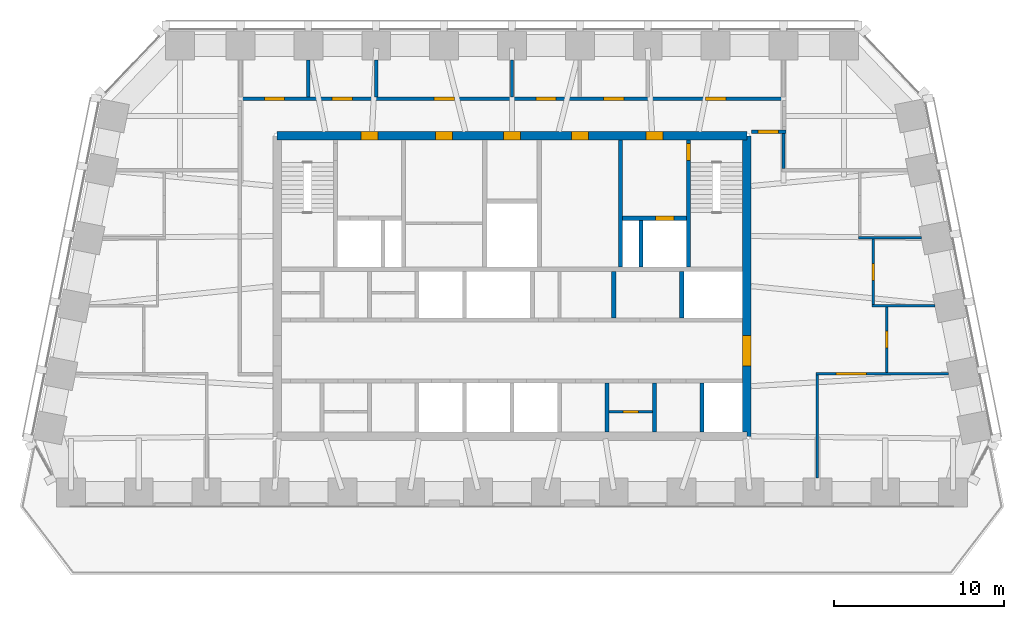
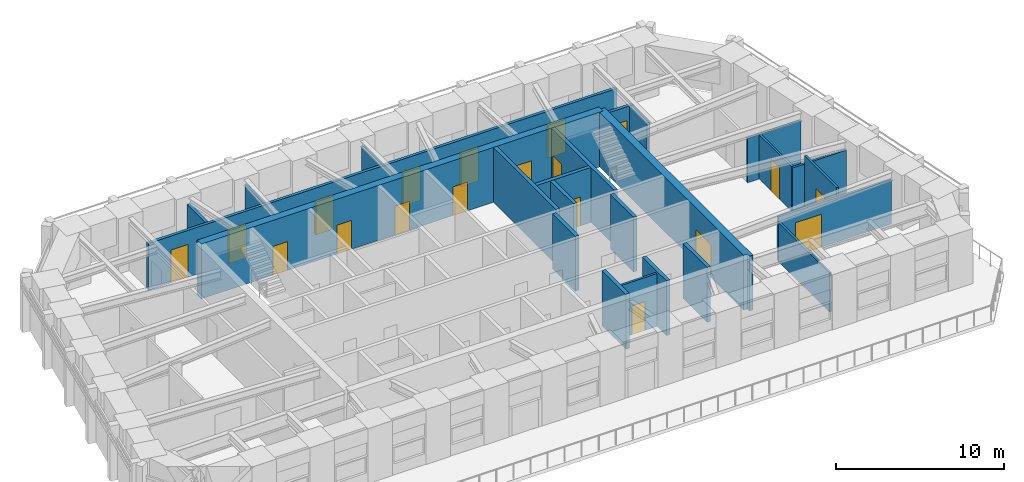
# One storey, part 6 of 9: 24 walls, 19 doors, 19 openings.
"""IFC4 building model written with IfcOpenShell, lengths in metres."""

from ifc_helpers import new_model, si_unit, direction, frame, frame_2d, origin, place, context, subcontext, project, spatial, polyline, rectangle, outline, extrude, material, layer, layer_set, type_object, element, fill, save


model = new_model("IFC4")

# Units and contexts
model_context = context("Model", 3, precision=1e-05, world=origin(), true_north=direction((0.0, 1.0)))
body_context = subcontext(model_context, "Body", "Model", "MODEL_VIEW")
ifc_project = project(units=[si_unit("LENGTHUNIT", "METRE"), si_unit("AREAUNIT", "SQUARE_METRE"), si_unit("VOLUMEUNIT", "CUBIC_METRE"), si_unit("PLANEANGLEUNIT", "RADIAN"), si_unit("MASSUNIT", "GRAM", prefix="KILO")], contexts=[model_context])

# Site, building, storey
site_placement = place(None, origin())
site = spatial("IfcSite", under=ifc_project, at=site_placement, CompositionType="ELEMENT")
building_placement = place(site_placement, origin())
building = spatial("IfcBuilding", under=site, at=building_placement, Name="Isbrekke Arena Tower", CompositionType="ELEMENT")
storey_placement = place(building_placement, frame((0.0, 0.0, 308.0)))
storey = spatial("IfcBuildingStorey", under=building, at=storey_placement, Name="L72", CompositionType="ELEMENT", Elevation=308.0)

# Wall, opening, door
ifc_material_1 = material(Name="Concrete B55 (C55/67)", Category="concrete")
ifc_layer_1 = layer(ifc_material_1, 0.5)
ifc_layer_set_1 = layer_set([ifc_layer_1], Name="CW5 CORE WALL 500")
wall_type_1 = type_object("IfcWallType", Name="CW5 CORE WALL 500", PredefinedType="SHEAR", material=ifc_layer_set_1)
wall_1_placement = place(storey_placement, frame((13.85009765625, 6.14990234375, 0.0), z_axis=(0.0, 0.0, 1.0), x_axis=(0.0, 1.0, 0.0)))
wall_1 = element("IfcWall", 1, at=wall_1_placement, inside=storey, type_object=wall_type_1, Name="Core wall E L72", PredefinedType="SHEAR", context=body_context, shape_type="SweptSolid", body=[
    extrude(outline(polyline([(0.0, -0.25), (17.7001953125, -0.25), (17.7001953125, 0.0), (17.4501953125, 0.0), (17.4501953125, 0.25), (0.25, 0.25), (0.25, 0.0), (0.0, 0.0), (0.0, -0.25)])), origin(), (0.0, 0.0, 1.0), 4.0),
])
opening_1_placement = place(wall_1_placement, frame((4.14990234375, 0.0, 0.0)))
opening_1 = element("IfcOpeningElement", 2, at=opening_1_placement, cuts=wall_1, Name="Opening D1", PredefinedType="OPENING", context=body_context, shape_type="SweptSolid", body=[
    extrude(rectangle(XDim=1.800048828125, YDim=2.39990234375, at=frame_2d((0.89990234375, 1.199951171875))), frame((0.0, 0.264892578125, 0.0), z_axis=(0.0, -1.0, 0.0), x_axis=(1.0, 0.0, 0.0)), (0.0, 0.0, 1.0), 0.52978515625),
])
ifc_material_2 = material(Name="Steel-framed glazed fire door", Category="steel")
door_type_1 = type_object("IfcDoorType", Name="D1 CORE LOBBY DOOR 1800 x 2400", OperationType="DOUBLE_DOOR_SINGLE_SWING", PredefinedType="DOOR", material=ifc_material_2)
door_1_placement = place(opening_1_placement, origin())
door_1 = element("IfcDoor", 3, at=door_1_placement, inside=storey, type_object=door_type_1, Name="D1 lift lobby door east L72", OperationType="DOUBLE_DOOR_SINGLE_SWING", OverallHeight=2.39990234375, OverallWidth=1.800048828125, PredefinedType="DOOR", context=body_context, shape_type="SweptSolid", body=[
    extrude(rectangle(XDim=1.800048828125, YDim=2.39990234375, at=frame_2d((0.89990234375, 1.199951171875))), frame((0.0, 0.249755859375, 0.0), z_axis=(0.0, -1.0, 0.0), x_axis=(1.0, 0.0, 0.0)), (0.0, 0.0, 1.0), 0.49951171875),
])
fill(opening_1, door_1)

# Wall, openings, doors
wall_2_placement = place(storey_placement, frame((13.85009765625, 23.85009765625, 0.0), z_axis=(0.0, 0.0, 1.0), x_axis=(-1.0, 0.0, 0.0)))
wall_2 = element("IfcWall", 4, at=wall_2_placement, inside=storey, type_object=wall_type_1, Name="Core wall N L72", PredefinedType="SHEAR", context=body_context, shape_type="SweptSolid", body=[
    extrude(rectangle(XDim=27.7001953125, YDim=0.5, at=frame_2d((13.85009765625, 0.0))), origin(), (0.0, 0.0, 1.0), 4.0),
])
opening_2_placement = place(wall_2_placement, frame((21.75, 0.0, 0.0)))
opening_2 = element("IfcOpeningElement", 5, at=opening_2_placement, cuts=wall_2, Name="Opening D3", PredefinedType="OPENING", context=body_context, shape_type="SweptSolid", body=[
    extrude(rectangle(XDim=1.0, YDim=2.10009765625, at=frame_2d((0.5, 1.050048828125))), frame((0.0, 0.264892578125, 0.0), z_axis=(0.0, -1.0, 0.0), x_axis=(1.0, 0.0, 0.0)), (0.0, 0.0, 1.0), 0.52978515625),
])
opening_3_placement = place(wall_2_placement, frame((4.949951171875, 0.0, 0.0)))
opening_3 = element("IfcOpeningElement", 6, at=opening_3_placement, cuts=wall_2, Name="Opening D3", PredefinedType="OPENING", context=body_context, shape_type="SweptSolid", body=[
    extrude(rectangle(XDim=1.0, YDim=2.10009765625, at=frame_2d((0.5, 1.050048828125))), frame((0.0, 0.264892578125, 0.0), z_axis=(0.0, -1.0, 0.0), x_axis=(1.0, 0.0, 0.0)), (0.0, 0.0, 1.0), 0.52978515625),
])
opening_4_placement = place(wall_2_placement, frame((17.35009765625, 0.0, 0.0)))
opening_4 = element("IfcOpeningElement", 7, at=opening_4_placement, cuts=wall_2, Name="Opening D4", PredefinedType="OPENING", context=body_context, shape_type="SweptSolid", body=[
    extrude(rectangle(XDim=1.0, YDim=2.10009765625, at=frame_2d((0.5, 1.050048828125))), frame((0.0, 0.264892578125, 0.0), z_axis=(0.0, -1.0, 0.0), x_axis=(1.0, 0.0, 0.0)), (0.0, 0.0, 1.0), 0.52978515625),
])
opening_5_placement = place(wall_2_placement, frame((13.35009765625, 0.0, 0.0)))
opening_5 = element("IfcOpeningElement", 8, at=opening_5_placement, cuts=wall_2, Name="Opening D4", PredefinedType="OPENING", context=body_context, shape_type="SweptSolid", body=[
    extrude(rectangle(XDim=1.0, YDim=2.10009765625, at=frame_2d((0.5, 1.050048828125))), frame((0.0, 0.264892578125, 0.0), z_axis=(0.0, -1.0, 0.0), x_axis=(1.0, 0.0, 0.0)), (0.0, 0.0, 1.0), 0.52978515625),
])
opening_6_placement = place(wall_2_placement, frame((9.35009765625, 0.0, 0.0)))
opening_6 = element("IfcOpeningElement", 9, at=opening_6_placement, cuts=wall_2, Name="Opening D4", PredefinedType="OPENING", context=body_context, shape_type="SweptSolid", body=[
    extrude(rectangle(XDim=1.0, YDim=2.10009765625, at=frame_2d((0.5, 1.050048828125))), frame((0.0, 0.264892578125, 0.0), z_axis=(0.0, -1.0, 0.0), x_axis=(1.0, 0.0, 0.0)), (0.0, 0.0, 1.0), 0.52978515625),
])
ifc_material_3 = material(Name="Steel fire door", Category="steel")
door_type_2 = type_object("IfcDoorType", Name="D3 FIRE LOBBY DOOR 1000 x 2100", OperationType="SINGLE_SWING_RIGHT", PredefinedType="DOOR", material=ifc_material_3)
door_2_placement = place(opening_2_placement, origin())
door_2 = element("IfcDoor", 10, at=door_2_placement, inside=storey, type_object=door_type_2, Name="D3 fire-fighting lobby door L72", OperationType="SINGLE_SWING_RIGHT", OverallHeight=2.10009765625, OverallWidth=1.0, PredefinedType="DOOR", context=body_context, shape_type="SweptSolid", body=[
    extrude(rectangle(XDim=1.0, YDim=2.10009765625, at=frame_2d((0.5, 1.050048828125))), frame((0.0, 0.249755859375, 0.0), z_axis=(0.0, -1.0, 0.0), x_axis=(1.0, 0.0, 0.0)), (0.0, 0.0, 1.0), 0.49951171875),
])
fill(opening_2, door_2)
door_3_placement = place(opening_3_placement, origin())
door_3 = element("IfcDoor", 11, at=door_3_placement, inside=storey, type_object=door_type_2, Name="D3 fire-fighting lobby door L72", OperationType="SINGLE_SWING_RIGHT", OverallHeight=2.10009765625, OverallWidth=1.0, PredefinedType="DOOR", context=body_context, shape_type="SweptSolid", body=[
    extrude(rectangle(XDim=1.0, YDim=2.10009765625, at=frame_2d((0.5, 1.050048828125))), frame((0.0, 0.249755859375, 0.0), z_axis=(0.0, -1.0, 0.0), x_axis=(1.0, 0.0, 0.0)), (0.0, 0.0, 1.0), 0.49951171875),
])
fill(opening_3, door_3)
ifc_material_4 = material(Name="Timber door", Category="wood")
door_type_3 = type_object("IfcDoorType", Name="D4 WC DOOR 1000 x 2100", OperationType="SINGLE_SWING_LEFT", PredefinedType="DOOR", material=ifc_material_4)
door_4_placement = place(opening_4_placement, origin())
door_4 = element("IfcDoor", 12, at=door_4_placement, inside=storey, type_object=door_type_3, Name="D4 wc female door L72", OperationType="SINGLE_SWING_LEFT", OverallHeight=2.10009765625, OverallWidth=1.0, PredefinedType="DOOR", context=body_context, shape_type="SweptSolid", body=[
    extrude(rectangle(XDim=1.0, YDim=2.10009765625, at=frame_2d((0.5, 1.050048828125))), frame((0.0, 0.249755859375, 0.0), z_axis=(0.0, -1.0, 0.0), x_axis=(1.0, 0.0, 0.0)), (0.0, 0.0, 1.0), 0.49951171875),
])
fill(opening_4, door_4)
door_5_placement = place(opening_5_placement, origin())
door_5 = element("IfcDoor", 13, at=door_5_placement, inside=storey, type_object=door_type_3, Name="D4 accessible wc door L72", OperationType="SINGLE_SWING_LEFT", OverallHeight=2.10009765625, OverallWidth=1.0, PredefinedType="DOOR", context=body_context, shape_type="SweptSolid", body=[
    extrude(rectangle(XDim=1.0, YDim=2.10009765625, at=frame_2d((0.5, 1.050048828125))), frame((0.0, 0.249755859375, 0.0), z_axis=(0.0, -1.0, 0.0), x_axis=(1.0, 0.0, 0.0)), (0.0, 0.0, 1.0), 0.49951171875),
])
fill(opening_5, door_5)
door_6_placement = place(opening_6_placement, origin())
door_6 = element("IfcDoor", 14, at=door_6_placement, inside=storey, type_object=door_type_3, Name="D4 wc male door L72", OperationType="SINGLE_SWING_LEFT", OverallHeight=2.10009765625, OverallWidth=1.0, PredefinedType="DOOR", context=body_context, shape_type="SweptSolid", body=[
    extrude(rectangle(XDim=1.0, YDim=2.10009765625, at=frame_2d((0.5, 1.050048828125))), frame((0.0, 0.249755859375, 0.0), z_axis=(0.0, -1.0, 0.0), x_axis=(1.0, 0.0, 0.0)), (0.0, 0.0, 1.0), 0.49951171875),
])
fill(opening_6, door_6)

# Walls
ifc_material_5 = material(Name="Concrete B45 (C45/55)", Category="concrete")
ifc_layer_2 = layer(ifc_material_5, 0.25)
ifc_layer_set_2 = layer_set([ifc_layer_2], Name="CW6 SHAFT WALL 250")
wall_type_2 = type_object("IfcWallType", Name="CW6 SHAFT WALL 250", PredefinedType="SHEAR", material=ifc_layer_set_2)
for number, where, z_axis, x_axis, name in (
    (15, (5.60009765625, 6.39990234375, 0.0), (0.0, 0.0, 1.0), (0.0, 1.0, 0.0), "Core wall SS07 L72"),
    (16, (8.39990234375, 6.39990234375, 0.0), (0.0, 0.0, 1.0), (0.0, 1.0, 0.0), "Core wall SS08 L72"),
    (17, (11.199951171875, 6.39990234375, 0.0), (0.0, 0.0, 1.0), (0.0, 1.0, 0.0), "Core wall SS09 L72"),
):
    element("IfcWall", number, at=place(storey_placement, frame(where, z_axis=z_axis, x_axis=x_axis)), inside=storey, type_object=wall_type_2, Name=name, PredefinedType="SHEAR", context=body_context, shape_type="SweptSolid", body=[
        extrude(rectangle(XDim=2.875, YDim=0.25, at=frame_2d((1.4375, 0.0))), origin(), (0.0, 0.0, 1.0), 4.0),
    ])
for number, where, z_axis, x_axis, name in (
    (18, (6.0, 13.125, 0.0), (0.0, 0.0, 1.0), (0.0, 1.0, 0.0), "Core wall SN06 L72"),
    (19, (10.0, 13.125, 0.0), (0.0, 0.0, 1.0), (0.0, 1.0, 0.0), "Core wall SN07 L72"),
):
    element("IfcWall", number, at=place(storey_placement, frame(where, z_axis=z_axis, x_axis=x_axis)), inside=storey, type_object=wall_type_2, Name=name, PredefinedType="SHEAR", context=body_context, shape_type="SweptSolid", body=[
        extrude(rectangle(XDim=2.75, YDim=0.25, at=frame_2d((1.375, 0.0))), origin(), (0.0, 0.0, 1.0), 4.0),
    ])
wall_3_placement = place(storey_placement, frame((6.39990234375, 16.125, 0.0), z_axis=(0.0, 0.0, 1.0), x_axis=(0.0, 1.0, 0.0)))
element("IfcWall", 20, at=wall_3_placement, inside=storey, type_object=wall_type_2, Name="Core wall NV05 L72", PredefinedType="SHEAR", context=body_context, shape_type="SweptSolid", body=[
    extrude(rectangle(XDim=7.47509765625, YDim=0.25, at=frame_2d((3.737548828125, 0.0))), origin(), (0.0, 0.0, 1.0), 4.0),
])

# Wall, opening, door
wall_4_placement = place(storey_placement, frame((10.39990234375, 16.125, 0.0), z_axis=(0.0, 0.0, 1.0), x_axis=(0.0, 1.0, 0.0)))
wall_4 = element("IfcWall", 21, at=wall_4_placement, inside=storey, type_object=wall_type_2, Name="Core wall NV06 L72", PredefinedType="SHEAR", context=body_context, shape_type="SweptSolid", body=[
    extrude(rectangle(XDim=7.47509765625, YDim=0.25, at=frame_2d((3.737548828125, 0.0))), origin(), (0.0, 0.0, 1.0), 4.0),
])
opening_7_placement = place(wall_4_placement, frame((6.27490234375, 0.0, 0.0)))
opening_7 = element("IfcOpeningElement", 22, at=opening_7_placement, cuts=wall_4, Name="Opening D2", PredefinedType="OPENING", context=body_context, shape_type="SweptSolid", body=[
    extrude(rectangle(XDim=1.0, YDim=2.10009765625, at=frame_2d((0.5, 1.050048828125))), frame((0.0, 0.139892578125, 0.0), z_axis=(0.0, -1.0, 0.0), x_axis=(1.0, 0.0, 0.0)), (0.0, 0.0, 1.0), 0.27978515625),
])
ifc_material_6 = material(Name="Steel fire door", Category="steel")
door_type_4 = type_object("IfcDoorType", Name="D2 STAIR DOOR 1000 x 2100", OperationType="SINGLE_SWING_LEFT", PredefinedType="DOOR", material=ifc_material_6)
door_7_placement = place(opening_7_placement, origin())
door_7 = element("IfcDoor", 23, at=door_7_placement, inside=storey, type_object=door_type_4, Name="D2 stair door ST2 L72", OperationType="SINGLE_SWING_LEFT", OverallHeight=2.10009765625, OverallWidth=1.0, PredefinedType="DOOR", context=body_context, shape_type="SweptSolid", body=[
    extrude(rectangle(XDim=1.0, YDim=2.10009765625, at=frame_2d((0.5, 1.050048828125))), frame((0.0, 0.124755859375, 0.0), z_axis=(0.0, -1.0, 0.0), x_axis=(1.0, 0.0, 0.0)), (0.0, 0.0, 1.0), 0.24951171875),
])
fill(opening_7, door_7)

wall_5_placement = place(storey_placement, frame((6.52490234375, 19.0, 0.0), z_axis=(0.0, 0.0, 1.0), x_axis=(1.0, 0.0, 0.0)))
wall_5 = element("IfcWall", 24, at=wall_5_placement, inside=storey, type_object=wall_type_2, Name="Core wall NFE L72", PredefinedType="SHEAR", context=body_context, shape_type="SweptSolid", body=[
    extrude(rectangle(XDim=3.75, YDim=0.25, at=frame_2d((1.875, 0.0))), origin(), (0.0, 0.0, 1.0), 4.0),
])
opening_8_placement = place(wall_5_placement, frame((1.925048828125, 0.0, 0.0)))
opening_8 = element("IfcOpeningElement", 25, at=opening_8_placement, cuts=wall_5, Name="Opening LD2", PredefinedType="OPENING", context=body_context, shape_type="SweptSolid", body=[
    extrude(rectangle(XDim=1.10009765625, YDim=2.10009765625, at=frame_2d((0.550048828125, 1.050048828125))), frame((0.0, 0.139892578125, 0.0), z_axis=(0.0, -1.0, 0.0), x_axis=(1.0, 0.0, 0.0)), (0.0, 0.0, 1.0), 0.27978515625),
])
ifc_material_7 = material(Name="Stainless steel lift landing door", Category="steel")
door_type_5 = type_object("IfcDoorType", Name="LD2 FIRE-FIGHTING LIFT LANDING DOOR 1100 x 2100", OperationType="SLIDING_TO_RIGHT", PredefinedType="DOOR", material=ifc_material_7)
door_8_placement = place(opening_8_placement, origin())
door_8 = element("IfcDoor", 26, at=door_8_placement, inside=storey, type_object=door_type_5, Name="LD2 lift landing door LF L72", OperationType="SLIDING_TO_RIGHT", OverallHeight=2.10009765625, OverallWidth=1.10009765625, PredefinedType="DOOR", context=body_context, shape_type="SweptSolid", body=[
    extrude(rectangle(XDim=1.10009765625, YDim=2.10009765625, at=frame_2d((0.550048828125, 1.050048828125))), frame((0.0, 0.124755859375, 0.0), z_axis=(0.0, -1.0, 0.0), x_axis=(1.0, 0.0, 0.0)), (0.0, 0.0, 1.0), 0.24951171875),
])
fill(opening_8, door_8)

# Wall
wall_6_placement = place(storey_placement, frame((7.60009765625, 16.125, 0.0), z_axis=(0.0, 0.0, 1.0), x_axis=(0.0, 1.0, 0.0)))
element("IfcWall", 27, at=wall_6_placement, inside=storey, type_object=wall_type_2, Name="Core wall NFS2 L72", PredefinedType="SHEAR", context=body_context, shape_type="SweptSolid", body=[
    extrude(rectangle(XDim=2.75, YDim=0.25, at=frame_2d((1.375, 0.0))), origin(), (0.0, 0.0, 1.0), 4.0),
])

# Wall, opening, door
ifc_material_8 = material(Name="Gypsum board partition on steel studs", Category="steel")
ifc_layer_3 = layer(ifc_material_8, 0.14990234375)
ifc_layer_set_3 = layer_set([ifc_layer_3], Name="IW1 PARTITION 150")
wall_type_3 = type_object("IfcWallType", Name="IW1 PARTITION 150", PredefinedType="PARTITIONING", material=ifc_layer_set_3)
wall_7_placement = place(storey_placement, frame((17.925048828125, 9.840087890625, 0.0), z_axis=(0.0, 0.0, 1.0), x_axis=(1.0, 0.0, 0.0)))
wall_7 = element("IfcWall", 28, at=wall_7_placement, inside=storey, type_object=wall_type_3, Name="IW1 partition 150 L72", PredefinedType="PARTITIONING", context=body_context, shape_type="SweptSolid", body=[
    extrude(rectangle(XDim=7.798828125, YDim=0.14990234375, at=frame_2d((3.8994140625, 0.0))), origin(), (0.0, 0.0, 1.0), 3.22998046875),
])
opening_9_placement = place(wall_7_placement, frame((1.175048828125, 0.0, 0.0)))
opening_9 = element("IfcOpeningElement", 29, at=opening_9_placement, cuts=wall_7, Name="Opening D13", PredefinedType="OPENING", context=body_context, shape_type="SweptSolid", body=[
    extrude(rectangle(XDim=1.800048828125, YDim=2.39990234375, at=frame_2d((0.89990234375, 1.199951171875))), frame((0.0, 0.08984375, 0.0), z_axis=(0.0, -1.0, 0.0), x_axis=(1.0, 0.0, 0.0)), (0.0, 0.0, 1.0), 0.1796875),
])
ifc_material_9 = material(Name="Timber door pair", Category="wood")
door_type_6 = type_object("IfcDoorType", Name="D13 DOUBLE ROOM DOOR 1800 x 2400", OperationType="DOUBLE_DOOR_SINGLE_SWING", PredefinedType="DOOR", material=ifc_material_9)
door_9_placement = place(opening_9_placement, origin())
door_9 = element("IfcDoor", 30, at=door_9_placement, inside=storey, type_object=door_type_6, Name="D13 kitchen door L72", OperationType="DOUBLE_DOOR_SINGLE_SWING", OverallHeight=2.39990234375, OverallWidth=1.800048828125, PredefinedType="DOOR", context=body_context, shape_type="SweptSolid", body=[
    extrude(rectangle(XDim=1.800048828125, YDim=2.39990234375, at=frame_2d((0.89990234375, 1.199951171875))), frame((0.0, 0.07470703125, 0.0), z_axis=(0.0, -1.0, 0.0), x_axis=(1.0, 0.0, 0.0)), (0.0, 0.0, 1.0), 0.1494140625),
])
fill(opening_9, door_9)

# Walls
for number, where, z_axis, x_axis, name in (
    (31, (21.22509765625, 13.840087890625, 0.0), (0.0, 0.0, 1.0), (1.0, 0.0, 0.0), "IW1 partition 150 L72"),
    (32, (20.425048828125, 17.840087890625, 0.0), (0.0, 0.0, 1.0), (1.0, 0.0, 0.0), "IW1 partition 150 L72"),
):
    element("IfcWall", number, at=place(storey_placement, frame(where, z_axis=z_axis, x_axis=x_axis)), inside=storey, type_object=wall_type_3, Name=name, PredefinedType="PARTITIONING", context=body_context, shape_type="SweptSolid", body=[
        extrude(rectangle(XDim=3.69873046875, YDim=0.14990234375, at=frame_2d((1.849365234375, 0.0))), origin(), (0.0, 0.0, 1.0), 3.22998046875),
    ])
wall_8_placement = place(storey_placement, frame((18.0, 3.675048828125, 0.0), z_axis=(0.0, 0.0, 1.0), x_axis=(0.0, 1.0, 0.0)))
element("IfcWall", 33, at=wall_8_placement, inside=storey, type_object=wall_type_3, Name="IW1 partition 150 L72", PredefinedType="PARTITIONING", context=body_context, shape_type="SweptSolid", body=[
    extrude(rectangle(XDim=6.08984375, YDim=0.14990234375, at=frame_2d((3.044921875, 0.0))), origin(), (0.0, 0.0, 1.0), 2.842041015625),
])

# Wall, opening, door
wall_9_placement = place(storey_placement, frame((21.300048828125, 13.9150390625, 0.0), z_axis=(0.0, 0.0, 1.0), x_axis=(0.0, 1.0, 0.0)))
wall_9 = element("IfcWall", 34, at=wall_9_placement, inside=storey, type_object=wall_type_3, Name="IW1 partition 150 L72", PredefinedType="PARTITIONING", context=body_context, shape_type="SweptSolid", body=[
    extrude(rectangle(XDim=3.849853515625, YDim=0.14990234375, at=frame_2d((1.9248046875, 0.0))), origin(), (0.0, 0.0, 1.0), 3.22998046875),
])
opening_10_placement = place(wall_9_placement, frame((1.425048828125, 0.0, 0.0)))
opening_10 = element("IfcOpeningElement", 35, at=opening_10_placement, cuts=wall_9, Name="Opening D10", PredefinedType="OPENING", context=body_context, shape_type="SweptSolid", body=[
    extrude(rectangle(XDim=1.0, YDim=2.300048828125, at=frame_2d((0.5, 1.14990234375))), frame((0.0, 0.08984375, 0.0), z_axis=(0.0, -1.0, 0.0), x_axis=(1.0, 0.0, 0.0)), (0.0, 0.0, 1.0), 0.1796875),
])
ifc_material_10 = material(Name="Timber door", Category="wood")
door_type_7 = type_object("IfcDoorType", Name="D10 OFFICE DOOR 1000 x 2300", OperationType="SINGLE_SWING_LEFT", PredefinedType="DOOR", material=ifc_material_10)
door_10_placement = place(opening_10_placement, origin())
door_10 = element("IfcDoor", 36, at=door_10_placement, inside=storey, type_object=door_type_7, Name="D10 office door L72", OperationType="SINGLE_SWING_LEFT", OverallHeight=2.300048828125, OverallWidth=1.0, PredefinedType="DOOR", context=body_context, shape_type="SweptSolid", body=[
    extrude(rectangle(XDim=1.0, YDim=2.300048828125, at=frame_2d((0.5, 1.14990234375))), frame((0.0, 0.07470703125, 0.0), z_axis=(0.0, -1.0, 0.0), x_axis=(1.0, 0.0, 0.0)), (0.0, 0.0, 1.0), 0.1494140625),
])
fill(opening_10, door_10)

wall_10_placement = place(storey_placement, frame((22.10009765625, 9.9150390625, 0.0), z_axis=(0.0, 0.0, 1.0), x_axis=(0.0, 1.0, 0.0)))
wall_10 = element("IfcWall", 37, at=wall_10_placement, inside=storey, type_object=wall_type_3, Name="IW1 partition 150 L72", PredefinedType="PARTITIONING", context=body_context, shape_type="SweptSolid", body=[
    extrude(rectangle(XDim=3.849853515625, YDim=0.14990234375, at=frame_2d((1.9248046875, 0.0))), origin(), (0.0, 0.0, 1.0), 3.85009765625),
])
opening_11_placement = place(wall_10_placement, frame((1.425048828125, 0.0, 0.0)))
opening_11 = element("IfcOpeningElement", 38, at=opening_11_placement, cuts=wall_10, Name="Opening D10", PredefinedType="OPENING", context=body_context, shape_type="SweptSolid", body=[
    extrude(rectangle(XDim=1.0, YDim=2.300048828125, at=frame_2d((0.5, 1.14990234375))), frame((0.0, 0.08984375, 0.0), z_axis=(0.0, -1.0, 0.0), x_axis=(1.0, 0.0, 0.0)), (0.0, 0.0, 1.0), 0.1796875),
])
door_11_placement = place(opening_11_placement, origin())
door_11 = element("IfcDoor", 39, at=door_11_placement, inside=storey, type_object=door_type_7, Name="D10 office door L72", OperationType="SINGLE_SWING_LEFT", OverallHeight=2.300048828125, OverallWidth=1.0, PredefinedType="DOOR", context=body_context, shape_type="SweptSolid", body=[
    extrude(rectangle(XDim=1.0, YDim=2.300048828125, at=frame_2d((0.5, 1.14990234375))), frame((0.0, 0.07470703125, 0.0), z_axis=(0.0, -1.0, 0.0), x_axis=(1.0, 0.0, 0.0)), (0.0, 0.0, 1.0), 0.1494140625),
])
fill(opening_11, door_11)

ifc_material_11 = material(Name="Gypsum board fire-cell wall on steel studs, two layers each side", Category="steel")
ifc_layer_4 = layer(ifc_material_11, 0.199951171875)
ifc_layer_set_4 = layer_set([ifc_layer_4], Name="IW3 FIRE-CELL WALL 200")
wall_type_4 = type_object("IfcWallType", Name="IW3 FIRE-CELL WALL 200", PredefinedType="PARTITIONING", material=ifc_layer_set_4)
wall_11_placement = place(storey_placement, frame((14.1298828125, 24.10009765625, 0.0), z_axis=(0.0, 0.0, 1.0), x_axis=(1.0, 0.0, 0.0)))
wall_11 = element("IfcWall", 40, at=wall_11_placement, inside=storey, type_object=wall_type_4, Name="IW3 fire-cell wall 200 L72", PredefinedType="PARTITIONING", context=body_context, shape_type="SweptSolid", body=[
    extrude(rectangle(XDim=2.02001953125, YDim=0.199951171875, at=frame_2d((1.010009765625, 0.0))), origin(), (0.0, 0.0, 1.0), 3.41796875),
])
opening_12_placement = place(wall_11_placement, frame((0.3701171875, 0.0, 0.0)))
opening_12 = element("IfcOpeningElement", 41, at=opening_12_placement, cuts=wall_11, Name="Opening D12", PredefinedType="OPENING", context=body_context, shape_type="SweptSolid", body=[
    extrude(rectangle(XDim=1.199951171875, YDim=2.39990234375, at=frame_2d((0.60009765625, 1.199951171875))), frame((0.0, 0.11474609375, 0.0), z_axis=(0.0, -1.0, 0.0), x_axis=(1.0, 0.0, 0.0)), (0.0, 0.0, 1.0), 0.229736328125),
])
ifc_material_12 = material(Name="Timber fire door with vision panel", Category="wood")
door_type_8 = type_object("IfcDoorType", Name="D12 SUITE ENTRANCE DOOR 1200 x 2400", OperationType="SINGLE_SWING_LEFT", PredefinedType="DOOR", material=ifc_material_12)
door_12_placement = place(opening_12_placement, frame((1.199951171875, 0.0, 0.0), z_axis=(0.0, 0.0, 1.0), x_axis=(-1.0, 0.0, 0.0)))
door_12 = element("IfcDoor", 42, at=door_12_placement, inside=storey, type_object=door_type_8, Name="D12 suite entrance E door L72", OperationType="SINGLE_SWING_LEFT", OverallHeight=2.39990234375, OverallWidth=1.199951171875, PredefinedType="DOOR", context=body_context, shape_type="SweptSolid", body=[
    extrude(rectangle(XDim=1.199951171875, YDim=2.39990234375, at=frame_2d((0.60009765625, 1.199951171875))), frame((0.0, 0.099609375, 0.0), z_axis=(0.0, -1.0, 0.0), x_axis=(1.0, 0.0, 0.0)), (0.0, 0.0, 1.0), 0.199462890625),
])
fill(opening_12, door_12)

# Wall, openings, doors
wall_12_placement = place(storey_placement, frame((-16.14990234375, 26.050048828125, 0.0), z_axis=(0.0, 0.0, 1.0), x_axis=(1.0, 0.0, 0.0)))
wall_12 = element("IfcWall", 43, at=wall_12_placement, inside=storey, type_object=wall_type_4, Name="IW3 fire-cell wall 200 L72", PredefinedType="PARTITIONING", context=body_context, shape_type="SweptSolid", body=[
    extrude(rectangle(XDim=32.2998046875, YDim=0.199951171875, at=frame_2d((16.14990234375, 0.0))), origin(), (0.0, 0.0, 1.0), 3.41796875),
])
opening_13_placement = place(wall_12_placement, frame((1.550048828125, 0.0, 0.0)))
opening_13 = element("IfcOpeningElement", 44, at=opening_13_placement, cuts=wall_12, Name="Opening D12", PredefinedType="OPENING", context=body_context, shape_type="SweptSolid", body=[
    extrude(rectangle(XDim=1.199951171875, YDim=2.39990234375, at=frame_2d((0.60009765625, 1.199951171875))), frame((0.0, 0.11474609375, 0.0), z_axis=(0.0, -1.0, 0.0), x_axis=(1.0, 0.0, 0.0)), (0.0, 0.0, 1.0), 0.229736328125),
])
opening_14_placement = place(wall_12_placement, frame((5.550048828125, 0.0, 0.0)))
opening_14 = element("IfcOpeningElement", 45, at=opening_14_placement, cuts=wall_12, Name="Opening D12", PredefinedType="OPENING", context=body_context, shape_type="SweptSolid", body=[
    extrude(rectangle(XDim=1.199951171875, YDim=2.39990234375, at=frame_2d((0.60009765625, 1.199951171875))), frame((0.0, 0.11474609375, 0.0), z_axis=(0.0, -1.0, 0.0), x_axis=(1.0, 0.0, 0.0)), (0.0, 0.0, 1.0), 0.229736328125),
])
opening_15_placement = place(wall_12_placement, frame((11.550048828125, 0.0, 0.0)))
opening_15 = element("IfcOpeningElement", 46, at=opening_15_placement, cuts=wall_12, Name="Opening D12", PredefinedType="OPENING", context=body_context, shape_type="SweptSolid", body=[
    extrude(rectangle(XDim=1.199951171875, YDim=2.39990234375, at=frame_2d((0.60009765625, 1.199951171875))), frame((0.0, 0.11474609375, 0.0), z_axis=(0.0, -1.0, 0.0), x_axis=(1.0, 0.0, 0.0)), (0.0, 0.0, 1.0), 0.229736328125),
])
opening_16_placement = place(wall_12_placement, frame((17.550048828125, 0.0, 0.0)))
opening_16 = element("IfcOpeningElement", 47, at=opening_16_placement, cuts=wall_12, Name="Opening D12", PredefinedType="OPENING", context=body_context, shape_type="SweptSolid", body=[
    extrude(rectangle(XDim=1.199951171875, YDim=2.39990234375, at=frame_2d((0.60009765625, 1.199951171875))), frame((0.0, 0.11474609375, 0.0), z_axis=(0.0, -1.0, 0.0), x_axis=(1.0, 0.0, 0.0)), (0.0, 0.0, 1.0), 0.229736328125),
])
opening_17_placement = place(wall_12_placement, frame((21.550048828125, 0.0, 0.0)))
opening_17 = element("IfcOpeningElement", 48, at=opening_17_placement, cuts=wall_12, Name="Opening D12", PredefinedType="OPENING", context=body_context, shape_type="SweptSolid", body=[
    extrude(rectangle(XDim=1.199951171875, YDim=2.39990234375, at=frame_2d((0.60009765625, 1.199951171875))), frame((0.0, 0.11474609375, 0.0), z_axis=(0.0, -1.0, 0.0), x_axis=(1.0, 0.0, 0.0)), (0.0, 0.0, 1.0), 0.229736328125),
])
opening_18_placement = place(wall_12_placement, frame((27.550048828125, 0.0, 0.0)))
opening_18 = element("IfcOpeningElement", 49, at=opening_18_placement, cuts=wall_12, Name="Opening D12", PredefinedType="OPENING", context=body_context, shape_type="SweptSolid", body=[
    extrude(rectangle(XDim=1.199951171875, YDim=2.39990234375, at=frame_2d((0.60009765625, 1.199951171875))), frame((0.0, 0.11474609375, 0.0), z_axis=(0.0, -1.0, 0.0), x_axis=(1.0, 0.0, 0.0)), (0.0, 0.0, 1.0), 0.229736328125),
])
door_13_placement = place(opening_13_placement, origin())
door_13 = element("IfcDoor", 50, at=door_13_placement, inside=storey, type_object=door_type_8, Name="D12 suite entrance NB1 door L72", OperationType="SINGLE_SWING_LEFT", OverallHeight=2.39990234375, OverallWidth=1.199951171875, PredefinedType="DOOR", context=body_context, shape_type="SweptSolid", body=[
    extrude(rectangle(XDim=1.199951171875, YDim=2.39990234375, at=frame_2d((0.60009765625, 1.199951171875))), frame((0.0, 0.099609375, 0.0), z_axis=(0.0, -1.0, 0.0), x_axis=(1.0, 0.0, 0.0)), (0.0, 0.0, 1.0), 0.199462890625),
])
fill(opening_13, door_13)
door_14_placement = place(opening_14_placement, origin())
door_14 = element("IfcDoor", 51, at=door_14_placement, inside=storey, type_object=door_type_8, Name="D12 suite entrance NB2 door L72", OperationType="SINGLE_SWING_LEFT", OverallHeight=2.39990234375, OverallWidth=1.199951171875, PredefinedType="DOOR", context=body_context, shape_type="SweptSolid", body=[
    extrude(rectangle(XDim=1.199951171875, YDim=2.39990234375, at=frame_2d((0.60009765625, 1.199951171875))), frame((0.0, 0.099609375, 0.0), z_axis=(0.0, -1.0, 0.0), x_axis=(1.0, 0.0, 0.0)), (0.0, 0.0, 1.0), 0.199462890625),
])
fill(opening_14, door_14)
door_15_placement = place(opening_15_placement, origin())
door_15 = element("IfcDoor", 52, at=door_15_placement, inside=storey, type_object=door_type_8, Name="D12 suite entrance NB3 door L72", OperationType="SINGLE_SWING_LEFT", OverallHeight=2.39990234375, OverallWidth=1.199951171875, PredefinedType="DOOR", context=body_context, shape_type="SweptSolid", body=[
    extrude(rectangle(XDim=1.199951171875, YDim=2.39990234375, at=frame_2d((0.60009765625, 1.199951171875))), frame((0.0, 0.099609375, 0.0), z_axis=(0.0, -1.0, 0.0), x_axis=(1.0, 0.0, 0.0)), (0.0, 0.0, 1.0), 0.199462890625),
])
fill(opening_15, door_15)
door_16_placement = place(opening_16_placement, origin())
door_16 = element("IfcDoor", 53, at=door_16_placement, inside=storey, type_object=door_type_8, Name="D12 suite entrance NB4 door L72", OperationType="SINGLE_SWING_LEFT", OverallHeight=2.39990234375, OverallWidth=1.199951171875, PredefinedType="DOOR", context=body_context, shape_type="SweptSolid", body=[
    extrude(rectangle(XDim=1.199951171875, YDim=2.39990234375, at=frame_2d((0.60009765625, 1.199951171875))), frame((0.0, 0.099609375, 0.0), z_axis=(0.0, -1.0, 0.0), x_axis=(1.0, 0.0, 0.0)), (0.0, 0.0, 1.0), 0.199462890625),
])
fill(opening_16, door_16)
door_17_placement = place(opening_17_placement, origin())
door_17 = element("IfcDoor", 54, at=door_17_placement, inside=storey, type_object=door_type_8, Name="D12 suite entrance NB5 door L72", OperationType="SINGLE_SWING_LEFT", OverallHeight=2.39990234375, OverallWidth=1.199951171875, PredefinedType="DOOR", context=body_context, shape_type="SweptSolid", body=[
    extrude(rectangle(XDim=1.199951171875, YDim=2.39990234375, at=frame_2d((0.60009765625, 1.199951171875))), frame((0.0, 0.099609375, 0.0), z_axis=(0.0, -1.0, 0.0), x_axis=(1.0, 0.0, 0.0)), (0.0, 0.0, 1.0), 0.199462890625),
])
fill(opening_17, door_17)
door_18_placement = place(opening_18_placement, origin())
door_18 = element("IfcDoor", 55, at=door_18_placement, inside=storey, type_object=door_type_8, Name="D12 suite entrance NB6 door L72", OperationType="SINGLE_SWING_LEFT", OverallHeight=2.39990234375, OverallWidth=1.199951171875, PredefinedType="DOOR", context=body_context, shape_type="SweptSolid", body=[
    extrude(rectangle(XDim=1.199951171875, YDim=2.39990234375, at=frame_2d((0.60009765625, 1.199951171875))), frame((0.0, 0.099609375, 0.0), z_axis=(0.0, -1.0, 0.0), x_axis=(1.0, 0.0, 0.0)), (0.0, 0.0, 1.0), 0.199462890625),
])
fill(opening_18, door_18)

# Walls
for number, where, z_axis, x_axis, name in (
    (56, (-12.0, 26.14990234375, 0.0), (0.0, 0.0, 1.0), (0.0, 1.0, 0.0), "IW3 fire-cell wall 200 L72"),
    (57, (-8.0, 26.14990234375, 0.0), (0.0, 0.0, 1.0), (0.0, 1.0, 0.0), "IW3 fire-cell wall 200 L72"),
    (58, (0.0, 26.14990234375, 0.0), (0.0, 0.0, 1.0), (0.0, 1.0, 0.0), "IW3 fire-cell wall 200 L72"),
):
    element("IfcWall", number, at=place(storey_placement, frame(where, z_axis=z_axis, x_axis=x_axis)), inside=storey, type_object=wall_type_4, Name=name, PredefinedType="PARTITIONING", context=body_context, shape_type="SweptSolid", body=[
        extrude(rectangle(XDim=2.175048828125, YDim=0.199951171875, at=frame_2d((1.08740234375, 0.0))), origin(), (0.0, 0.0, 1.0), 3.41796875),
    ])
wall_13_placement = place(storey_placement, frame((16.0, 21.93994140625, 0.0), z_axis=(0.0, 0.0, 1.0), x_axis=(0.0, 1.0, 0.0)))
element("IfcWall", 59, at=wall_13_placement, inside=storey, type_object=wall_type_4, Name="IW3 fire-cell wall 200 L72", PredefinedType="PARTITIONING", context=body_context, shape_type="SweptSolid", body=[
    extrude(rectangle(XDim=2.06005859375, YDim=0.199951171875, at=frame_2d((1.030029296875, 0.0))), origin(), (0.0, 0.0, 1.0), 3.41796875),
])

# Wall, opening, door
ifc_material_13 = material(Name="Gypsum board fire-rated partition on steel studs, two layers each side", Category="steel")
ifc_layer_5 = layer(ifc_material_13, 0.14990234375)
ifc_layer_set_5 = layer_set([ifc_layer_5], Name="IW5 FIRE-RATED PARTITION 150")
wall_type_5 = type_object("IfcWallType", Name="IW5 FIRE-RATED PARTITION 150", PredefinedType="PARTITIONING", material=ifc_layer_set_5)
wall_14_placement = place(storey_placement, frame((5.72509765625, 7.60009765625, 0.0), z_axis=(0.0, 0.0, 1.0), x_axis=(1.0, 0.0, 0.0)))
wall_14 = element("IfcWall", 60, at=wall_14_placement, inside=storey, type_object=wall_type_5, Name="IW5 fire-rated partition L72 core service rooms 5", PredefinedType="PARTITIONING", context=body_context, shape_type="SweptSolid", body=[
    extrude(rectangle(XDim=2.5498046875, YDim=0.14990234375, at=frame_2d((1.27490234375, 0.0))), origin(), (0.0, 0.0, 1.0), 3.85009765625),
])
opening_19_placement = place(wall_14_placement, frame((0.824951171875, 0.0, 0.0)))
opening_19 = element("IfcOpeningElement", 61, at=opening_19_placement, cuts=wall_14, Name="Opening D5", PredefinedType="OPENING", context=body_context, shape_type="SweptSolid", body=[
    extrude(rectangle(XDim=0.89990234375, YDim=2.10009765625, at=frame_2d((0.449951171875, 1.050048828125))), frame((0.0, 0.08984375, 0.0), z_axis=(0.0, -1.0, 0.0), x_axis=(1.0, 0.0, 0.0)), (0.0, 0.0, 1.0), 0.1796875),
])
ifc_material_14 = material(Name="Steel fire door", Category="steel")
door_type_9 = type_object("IfcDoorType", Name="D5 SERVICE DOOR 900 x 2100", OperationType="SINGLE_SWING_LEFT", PredefinedType="DOOR", material=ifc_material_14)
door_19_placement = place(opening_19_placement, origin())
door_19 = element("IfcDoor", 62, at=door_19_placement, inside=storey, type_object=door_type_9, Name="D5 store door L72", OperationType="SINGLE_SWING_LEFT", OverallHeight=2.10009765625, OverallWidth=0.89990234375, PredefinedType="DOOR", context=body_context, shape_type="SweptSolid", body=[
    extrude(rectangle(XDim=0.89990234375, YDim=2.10009765625, at=frame_2d((0.449951171875, 1.050048828125))), frame((0.0, 0.07470703125, 0.0), z_axis=(0.0, -1.0, 0.0), x_axis=(1.0, 0.0, 0.0)), (0.0, 0.0, 1.0), 0.1494140625),
])
fill(opening_19, door_19)

save(model, "model.ifc")
